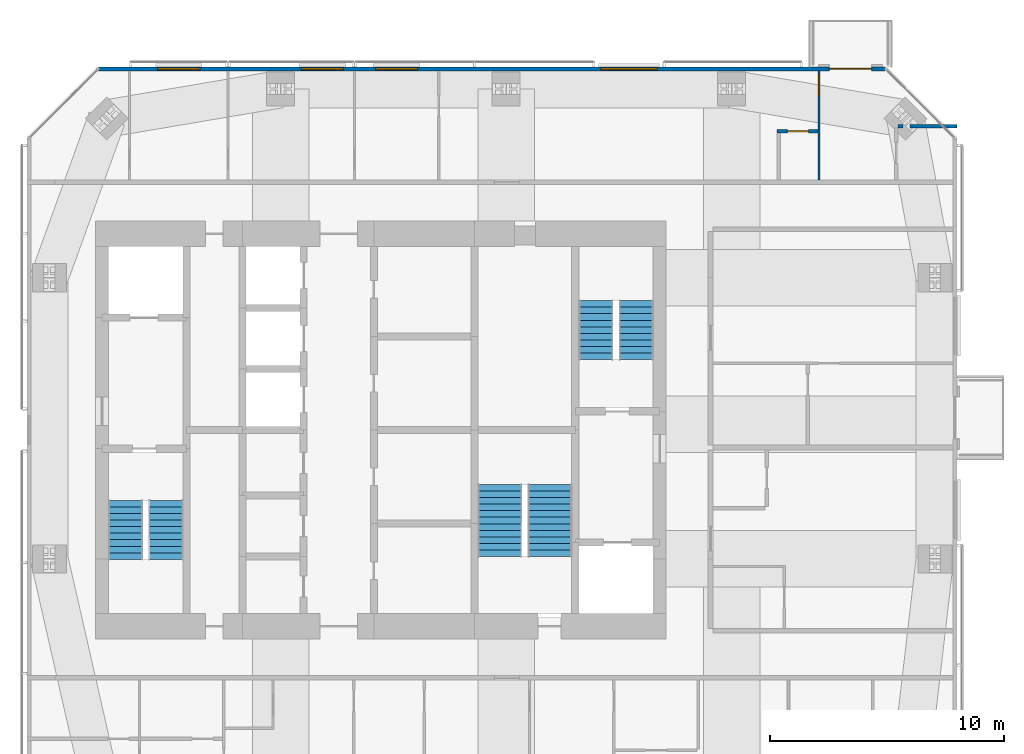
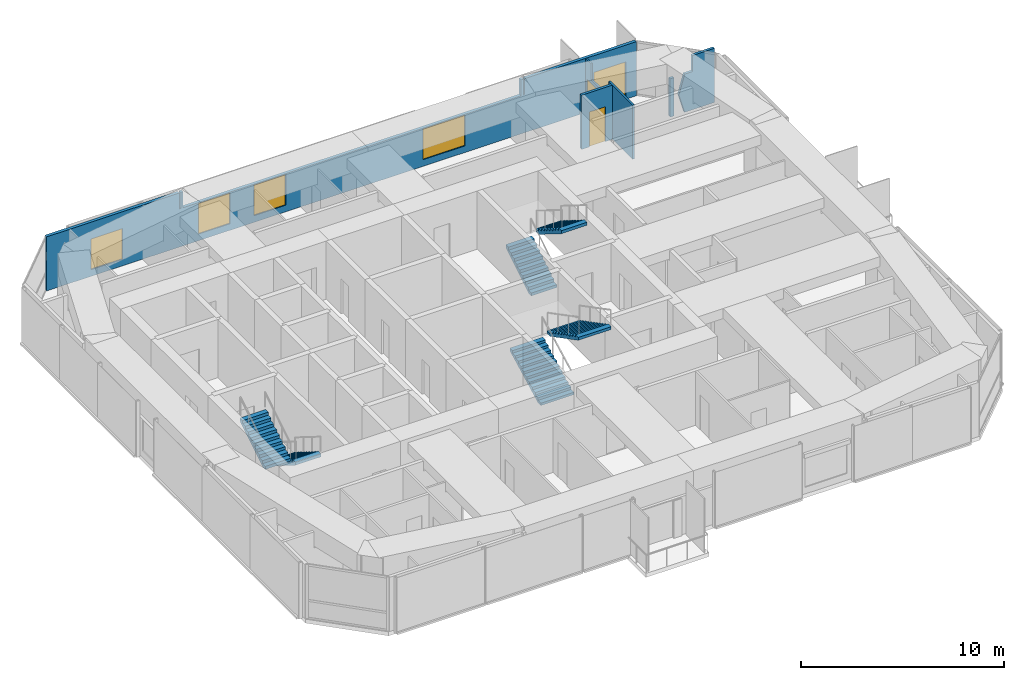
# One storey, part 17 of 18: 6 stair flights, 5 walls, 4 windows, 3 doors, 7 openings, 3 elements without a shape of their own.
"""IFC4 building model written with IfcOpenShell, lengths in metres."""

from ifc_helpers import new_model, si_unit, direction, frame, frame_2d, origin, place, context, subcontext, project, spatial, polyline, rectangle, outline, extrude, material, constituent, constituent_set, type_object, element, fill, aggregate, save


model = new_model("IFC4")

# Units and contexts
model_context = context("Model", 3, precision=1e-05, world=origin(), true_north=direction((0.0, 1.0)))
body_context = subcontext(model_context, "Body", "Model", "MODEL_VIEW")
ifc_project = project(units=[si_unit("LENGTHUNIT", "METRE"), si_unit("AREAUNIT", "SQUARE_METRE"), si_unit("VOLUMEUNIT", "CUBIC_METRE"), si_unit("PLANEANGLEUNIT", "RADIAN"), si_unit("MASSUNIT", "GRAM", prefix="KILO")], contexts=[model_context])

# Site, building, storey
site_placement = place(None, origin())
site = spatial("IfcSite", under=ifc_project, at=site_placement, CompositionType="ELEMENT")
building_placement = place(site_placement, origin())
building = spatial("IfcBuilding", under=site, at=building_placement, Name="Jalousie Tower", CompositionType="ELEMENT")
storey_placement = place(building_placement, frame((0.0, 0.0, 256.449951171875)))
storey = spatial("IfcBuildingStorey", under=building, at=storey_placement, Name="L70", CompositionType="ELEMENT", Elevation=256.449951171875)

# Walls
ifc_material_1 = material(Name="Concrete block ASTM C90", Category="concrete")
ifc_constituent_1 = constituent(ifc_material_1, Name="Body")
ifc_material_2 = material(Name="Render")
ifc_constituent_2 = constituent(ifc_material_2, Name="Finish")
ifc_constituent_set_1 = constituent_set(constituents=[ifc_constituent_1, ifc_constituent_2])
wall_type_1 = type_object("IfcWallType", Name="BATHROOM WALL 150", PredefinedType="PLUMBINGWALL", material=ifc_constituent_set_1)
wall_1_placement = place(storey_placement, frame((53.97509765625, 31.47509765625, 0.0), z_axis=(0.0, 0.0, 1.0), x_axis=(1.0, 0.0, 0.0)))
element("IfcWall", 1, at=wall_1_placement, inside=storey, type_object=wall_type_1, Name="Bathroom Wall 150 L70-A", PredefinedType="PLUMBINGWALL", context=body_context, shape_type="SweptSolid", body=[
    extrude(rectangle(XDim=0.216796875, YDim=0.14990234375, at=frame_2d((0.1083984375, 0.0))), origin(), (0.0, 0.0, 1.0), 2.300048828125),
])
wall_2_placement = place(storey_placement, frame((54.47802734375, 31.47509765625, 0.0), z_axis=(0.0, 0.0, 1.0), x_axis=(1.0, 0.0, 0.0)))
element("IfcWall", 2, at=wall_2_placement, inside=storey, type_object=wall_type_1, Name="Bathroom Wall 150 L70-B", PredefinedType="PLUMBINGWALL", context=body_context, shape_type="SweptSolid", body=[
    extrude(outline(polyline([(0.773681640625, 3.260009765625), (0.773681640625, 2.300048828125), (0.3251953125, 2.300048828125), (0.0, 1.150146484375), (0.3251953125, 0.0), (2.02197265625, 0.0), (2.02197265625, 3.260009765625), (0.773681640625, 3.260009765625)])), frame((0.0, 0.074951171875, 0.0), z_axis=(0.0, -1.0, 0.0), x_axis=(1.0, 0.0, 0.0)), (0.0, 0.0, 1.0), 0.14990234375),
])

# Wall, opening, door
wall_3_placement = place(storey_placement, frame((50.552490234375, 31.25, 0.0), z_axis=(0.0, 0.0, 1.0), x_axis=(-1.0, 0.0, 0.0)))
wall_3 = element("IfcWall", 3, at=wall_3_placement, inside=storey, type_object=wall_type_1, Name="Bathroom Wall 150 L70", PredefinedType="PLUMBINGWALL", context=body_context, shape_type="SweptSolid", body=[
    extrude(rectangle(XDim=1.75, YDim=0.14990234375, at=frame_2d((0.875, 0.0))), origin(), (0.0, 0.0, 1.0), 3.260009765625),
])
opening_1_placement = place(wall_3_placement, frame((0.39990234375, 0.0, 0.0)))
opening_1 = element("IfcOpeningElement", 4, at=opening_1_placement, cuts=wall_3, Name="Opening D7", PredefinedType="OPENING", context=body_context, shape_type="SweptSolid", body=[
    extrude(rectangle(XDim=0.89990234375, YDim=2.10009765625, at=frame_2d((0.449951171875, 1.050048828125))), frame((0.0, 0.0849609375, 0.0), z_axis=(0.0, -1.0, 0.0), x_axis=(1.0, 0.0, 0.0)), (0.0, 0.0, 1.0), 0.169921875),
])
ifc_material_3 = material(Name="Timber door", Category="wood")
door_type_1 = type_object("IfcDoorType", Name="INTERNAL DOOR 900", OperationType="SINGLE_SWING_LEFT", PredefinedType="DOOR", material=ifc_material_3)
door_1_placement = place(opening_1_placement, origin())
door_1 = element("IfcDoor", 5, at=door_1_placement, inside=storey, type_object=door_type_1, Name="Apartment 7002 guest WC door", OperationType="SINGLE_SWING_RIGHT", OverallHeight=2.10009765625, OverallWidth=0.89990234375, PredefinedType="DOOR", context=body_context, shape_type="SweptSolid", body=[
    extrude(rectangle(XDim=0.89990234375, YDim=2.10009765625, at=frame_2d((0.449951171875, 1.050048828125))), frame((0.0, 0.02490234375, 0.0), z_axis=(0.0, -1.0, 0.0), x_axis=(1.0, 0.0, 0.0)), (0.0, 0.0, 1.0), 0.050048828125),
])
fill(opening_1, door_1)

# Wall, openings, door, windows
ifc_material_4 = material(Name="Concrete f'c 40 MPa", Category="concrete")
ifc_constituent_3 = constituent(ifc_material_4, Name="Body")
ifc_material_5 = material(Name="Render, pastel sky blue")
ifc_constituent_4 = constituent(ifc_material_5, Name="Finish")
ifc_constituent_set_2 = constituent_set(constituents=[ifc_constituent_3, ifc_constituent_4])
wall_type_2 = type_object("IfcWallType", Name="EXTERNAL WALL 175 SKY BLUE RENDER", PredefinedType="SOLIDWALL", material=ifc_constituent_set_2)
wall_4_placement = place(storey_placement, frame((53.44873046875, 33.91259765625, 0.0), z_axis=(0.0, 0.0, 1.0), x_axis=(-1.0, 0.0, 0.0)))
wall_4 = element("IfcWall", 6, at=wall_4_placement, inside=storey, type_object=wall_type_2, Name="External Wall 175 Sky Blue Render L70", PredefinedType="SOLIDWALL", context=body_context, shape_type="SweptSolid", body=[
    extrude(outline(polyline([(0.0, 0.0), (33.597412109375, 0.0), (33.597412109375, 3.260009765625), (26.03857421875, 3.260009765625), (26.03857421875, 2.300048828125), (25.955078125, 2.300048828125), (25.955078125, 3.260009765625), (25.82373046875, 3.260009765625), (25.82373046875, 2.300048828125), (6.57373046875, 2.300048828125), (6.57373046875, 3.260009765625), (6.4423828125, 3.260009765625), (6.4423828125, 2.300048828125), (6.35888671875, 2.300048828125), (6.35888671875, 3.260009765625), (0.0, 3.260009765625), (0.0, 0.0)])), frame((0.0, 0.08740234375, 0.0), z_axis=(0.0, -1.0, 0.0), x_axis=(1.0, 0.0, 0.0)), (0.0, 0.0, 1.0), 0.175048828125),
])
opening_2_placement = place(wall_4_placement, frame((0.60009765625, 0.0, 0.0)))
opening_2 = element("IfcOpeningElement", 7, at=opening_2_placement, cuts=wall_4, Name="Opening D-BAL22", PredefinedType="OPENING", context=body_context, shape_type="SweptSolid", body=[
    extrude(rectangle(XDim=1.800048828125, YDim=2.25, at=frame_2d((0.89990234375, 1.125))), frame((0.0, 0.097412109375, 0.0), z_axis=(0.0, -1.0, 0.0), x_axis=(1.0, 0.0, 0.0)), (0.0, 0.0, 1.0), 0.195068359375),
])
opening_3_placement = place(wall_4_placement, frame((9.760009765625, 0.0, 0.39990234375)))
opening_3 = element("IfcOpeningElement", 8, at=opening_3_placement, cuts=wall_4, Name="Opening W-LIV185", PredefinedType="OPENING", context=body_context, shape_type="SweptSolid", body=[
    extrude(rectangle(XDim=2.39990234375, YDim=1.85009765625, at=frame_2d((1.199951171875, 0.925048828125))), frame((0.0, 0.097412109375, 0.0), z_axis=(0.0, -1.0, 0.0), x_axis=(1.0, 0.0, 0.0)), (0.0, 0.0, 1.0), 0.195068359375),
])
opening_4_placement = place(wall_4_placement, frame((19.9736328125, 0.0, 0.39990234375)))
opening_4 = element("IfcOpeningElement", 9, at=opening_4_placement, cuts=wall_4, Name="Opening W-BED185", PredefinedType="OPENING", context=body_context, shape_type="SweptSolid", body=[
    extrude(rectangle(XDim=1.800048828125, YDim=1.85009765625, at=frame_2d((0.89990234375, 0.925048828125))), frame((0.0, 0.097412109375, 0.0), z_axis=(0.0, -1.0, 0.0), x_axis=(1.0, 0.0, 0.0)), (0.0, 0.0, 1.0), 0.195068359375),
])
opening_5_placement = place(wall_4_placement, frame((23.143798828125, 0.0, 0.39990234375)))
opening_5 = element("IfcOpeningElement", 10, at=opening_5_placement, cuts=wall_4, Name="Opening W-BED185", PredefinedType="OPENING", context=body_context, shape_type="SweptSolid", body=[
    extrude(rectangle(XDim=1.800048828125, YDim=1.85009765625, at=frame_2d((0.89990234375, 0.925048828125))), frame((0.0, 0.097412109375, 0.0), z_axis=(0.0, -1.0, 0.0), x_axis=(1.0, 0.0, 0.0)), (0.0, 0.0, 1.0), 0.195068359375),
])
opening_6_placement = place(wall_4_placement, frame((29.273193359375, 0.0, 0.39990234375)))
opening_6 = element("IfcOpeningElement", 11, at=opening_6_placement, cuts=wall_4, Name="Opening W-BED185", PredefinedType="OPENING", context=body_context, shape_type="SweptSolid", body=[
    extrude(rectangle(XDim=1.800048828125, YDim=1.85009765625, at=frame_2d((0.89990234375, 0.925048828125))), frame((0.0, 0.097412109375, 0.0), z_axis=(0.0, -1.0, 0.0), x_axis=(1.0, 0.0, 0.0)), (0.0, 0.0, 1.0), 0.195068359375),
])
ifc_material_6 = material(Name="Aluminium frame, impact-rated glazing", Category="aluminium")
door_type_2 = type_object("IfcDoorType", Name="BALCONY DOOR 1800x2250", OperationType="SLIDING_TO_LEFT", PredefinedType="DOOR", material=ifc_material_6)
door_2_placement = place(opening_2_placement, origin())
door_2 = element("IfcDoor", 12, at=door_2_placement, inside=storey, type_object=door_type_2, Name="Apartment 7002 bedroom 5 balcony door", OperationType="SLIDING_TO_LEFT", OverallHeight=2.25, OverallWidth=1.800048828125, PredefinedType="DOOR", context=body_context, shape_type="SweptSolid", body=[
    extrude(rectangle(XDim=1.800048828125, YDim=2.25, at=frame_2d((0.89990234375, 1.125))), frame((0.0, 0.02490234375, 0.0), z_axis=(0.0, -1.0, 0.0), x_axis=(1.0, 0.0, 0.0)), (0.0, 0.0, 1.0), 0.050048828125),
])
fill(opening_2, door_2)
ifc_material_7 = material(Name="Aluminium frame, impact-rated glazing", Category="aluminium")
window_type_1 = type_object("IfcWindowType", Name="WINDOW BED 1800x1850", PartitioningType="SINGLE_PANEL", PredefinedType="WINDOW", material=ifc_material_7)
window_1_placement = place(opening_4_placement, origin())
window_1 = element("IfcWindow", 13, at=window_1_placement, inside=storey, type_object=window_type_1, Name="Apartment 7002 bedroom 4 window", OverallHeight=1.85009765625, OverallWidth=1.800048828125, PartitioningType="SINGLE_PANEL", PredefinedType="WINDOW", context=body_context, shape_type="SweptSolid", body=[
    extrude(rectangle(XDim=1.800048828125, YDim=1.85009765625, at=frame_2d((0.89990234375, 0.925048828125))), frame((0.0, 0.030029296875, 0.0), z_axis=(0.0, -1.0, 0.0), x_axis=(1.0, 0.0, 0.0)), (0.0, 0.0, 1.0), 0.06005859375),
])
fill(opening_4, window_1)
window_2_placement = place(opening_5_placement, origin())
window_2 = element("IfcWindow", 14, at=window_2_placement, inside=storey, type_object=window_type_1, Name="Apartment 7002 bedroom 3 window", OverallHeight=1.85009765625, OverallWidth=1.800048828125, PartitioningType="SINGLE_PANEL", PredefinedType="WINDOW", context=body_context, shape_type="SweptSolid", body=[
    extrude(rectangle(XDim=1.800048828125, YDim=1.85009765625, at=frame_2d((0.89990234375, 0.925048828125))), frame((0.0, 0.030029296875, 0.0), z_axis=(0.0, -1.0, 0.0), x_axis=(1.0, 0.0, 0.0)), (0.0, 0.0, 1.0), 0.06005859375),
])
fill(opening_5, window_2)
window_3_placement = place(opening_6_placement, origin())
window_3 = element("IfcWindow", 15, at=window_3_placement, inside=storey, type_object=window_type_1, Name="Apartment 7002 bedroom 2 window", OverallHeight=1.85009765625, OverallWidth=1.800048828125, PartitioningType="SINGLE_PANEL", PredefinedType="WINDOW", context=body_context, shape_type="SweptSolid", body=[
    extrude(rectangle(XDim=1.800048828125, YDim=1.85009765625, at=frame_2d((0.89990234375, 0.925048828125))), frame((0.0, 0.030029296875, 0.0), z_axis=(0.0, -1.0, 0.0), x_axis=(1.0, 0.0, 0.0)), (0.0, 0.0, 1.0), 0.06005859375),
])
fill(opening_6, window_3)
ifc_material_8 = material(Name="Aluminium frame, impact-rated glazing", Category="aluminium")
window_type_2 = type_object("IfcWindowType", Name="WINDOW LIV 2400x1850", PartitioningType="DOUBLE_PANEL_VERTICAL", PredefinedType="WINDOW", material=ifc_material_8)
window_4_placement = place(opening_3_placement, origin())
window_4 = element("IfcWindow", 16, at=window_4_placement, inside=storey, type_object=window_type_2, Name="Apartment 7002 living, dining and kitchen window", OverallHeight=1.85009765625, OverallWidth=2.39990234375, PartitioningType="SINGLE_PANEL", PredefinedType="WINDOW", context=body_context, shape_type="SweptSolid", body=[
    extrude(rectangle(XDim=2.39990234375, YDim=1.85009765625, at=frame_2d((1.199951171875, 0.925048828125))), frame((0.0, 0.030029296875, 0.0), z_axis=(0.0, -1.0, 0.0), x_axis=(1.0, 0.0, 0.0)), (0.0, 0.0, 1.0), 0.06005859375),
])
fill(opening_3, window_4)

# Wall, opening, door
ifc_material_9 = material(Name="Gypsum board", Category="gypsum")
ifc_constituent_5 = constituent(ifc_material_9, Name="Body")
ifc_material_10 = material(Name="Light-gauge steel studs ASTM A653 SS Grade 33", Category="steel")
ifc_constituent_6 = constituent(ifc_material_10, Name="Framing")
ifc_constituent_set_3 = constituent_set(constituents=[ifc_constituent_5, ifc_constituent_6])
wall_type_3 = type_object("IfcWallType", Name="PARTITION 100", PredefinedType="PARTITIONING", material=ifc_constituent_set_3)
wall_5_placement = place(storey_placement, frame((50.6025390625, 33.824951171875, 0.0), z_axis=(0.0, 0.0, 1.0), x_axis=(0.0, -1.0, 0.0)))
wall_5 = element("IfcWall", 17, at=wall_5_placement, inside=storey, type_object=wall_type_3, Name="Partition 100 L70", PredefinedType="PARTITIONING", context=body_context, shape_type="SweptSolid", body=[
    extrude(outline(polyline([(0.0, 0.0), (4.64990234375, 0.0), (4.64990234375, 3.260009765625), (2.279052734375, 3.260009765625), (2.279052734375, 2.300048828125), (0.534423828125, 2.300048828125), (0.534423828125, 3.260009765625), (0.0, 3.260009765625), (0.0, 0.0)])), frame((0.0, 0.050048828125, 0.0), z_axis=(0.0, -1.0, 0.0), x_axis=(1.0, 0.0, 0.0)), (0.0, 0.0, 1.0), 0.10009765625),
])
opening_7_placement = place(wall_5_placement, frame((0.14990234375, 0.0, 0.0)))
opening_7 = element("IfcOpeningElement", 18, at=opening_7_placement, cuts=wall_5, Name="Opening D2", PredefinedType="OPENING", context=body_context, shape_type="SweptSolid", body=[
    extrude(rectangle(XDim=0.89990234375, YDim=2.10009765625, at=frame_2d((0.449951171875, 1.050048828125))), frame((0.0, 0.06005859375, 0.0), z_axis=(0.0, -1.0, 0.0), x_axis=(1.0, 0.0, 0.0)), (0.0, 0.0, 1.0), 0.1201171875),
])
ifc_material_11 = material(Name="Timber door", Category="wood")
door_type_3 = type_object("IfcDoorType", Name="BEDROOM DOOR 900", OperationType="SINGLE_SWING_LEFT", PredefinedType="DOOR", material=ifc_material_11)
door_3_placement = place(opening_7_placement, origin())
door_3 = element("IfcDoor", 19, at=door_3_placement, inside=storey, type_object=door_type_3, Name="Apartment 7002 bedroom 5 door", OperationType="SINGLE_SWING_LEFT", OverallHeight=2.10009765625, OverallWidth=0.89990234375, PredefinedType="DOOR", context=body_context, shape_type="SweptSolid", body=[
    extrude(rectangle(XDim=0.89990234375, YDim=2.10009765625, at=frame_2d((0.449951171875, 1.050048828125))), frame((0.0, 0.02490234375, 0.0), z_axis=(0.0, -1.0, 0.0), x_axis=(1.0, 0.0, 0.0)), (0.0, 0.0, 1.0), 0.050048828125),
])
fill(opening_7, door_3)

# Stair, stair flights
ifc_material_12 = material(Name="Concrete f'c 40 MPa", Category="concrete")
stair_type = type_object("IfcStairType", Name="EXIT STAIR", PredefinedType="HALF_TURN_STAIR", material=ifc_material_12)
stair_1_placement = place(storey_placement, origin())
stair_1 = element("IfcStair", 20, at=stair_1_placement, inside=storey, type_object=stair_type, Name="Exit stair A L70", PredefinedType="HALF_TURN_STAIR")
ifc_material_13 = material(Name="Concrete f'c 40 MPa", Category="concrete")
stair_flight_type = type_object("IfcStairFlightType", Name="STAIR FLIGHT", PredefinedType="STRAIGHT", material=ifc_material_13)
stair_flight_1_placement = place(storey_placement, frame((22.71875, 15.49755859375, 0.0), z_axis=(0.0, 0.0, 1.0), x_axis=(0.0, -1.0, 0.0)))
stair_flight_1 = element("IfcStairFlight", 21, at=stair_flight_1_placement, type_object=stair_flight_type, Name="ST-A flight 1", NumberOfRisers=10, NumberOfTreads=9, PredefinedType="STRAIGHT", RiserHeight=0.175, TreadLength=0.28, context=body_context, shape_type="SweptSolid", body=[
    extrude(outline(polyline([(0.0, 0.0), (0.0, 0.175048828125), (0.280029296875, 0.175048828125), (0.280029296875, 0.35009765625), (0.56005859375, 0.35009765625), (0.56005859375, 0.52490234375), (0.840087890625, 0.52490234375), (0.840087890625, 0.699951171875), (1.1201171875, 0.699951171875), (1.1201171875, 0.875), (1.39990234375, 0.875), (1.39990234375, 1.050048828125), (1.679931640625, 1.050048828125), (1.679931640625, 1.22509765625), (1.9599609375, 1.22509765625), (1.9599609375, 1.39990234375), (2.239990234375, 1.39990234375), (2.239990234375, 1.574951171875), (2.52001953125, 1.574951171875), (2.52001953125, 1.75), (2.52001953125, 1.398193359375), (0.28271484375, 0.0), (0.0, 0.0)])), frame((0.0, 0.731201171875, 0.0), z_axis=(0.0, -1.0, 0.0), x_axis=(1.0, 0.0, 0.0)), (0.0, 0.0, 1.0), 1.46240234375),
])
stair_flight_2_placement = place(storey_placement, frame((21.00634765625, 12.9775390625, 1.75), z_axis=(0.0, 0.0, 1.0), x_axis=(0.0, 1.0, 0.0)))
stair_flight_2 = element("IfcStairFlight", 22, at=stair_flight_2_placement, type_object=stair_flight_type, Name="ST-A flight 2", NumberOfRisers=10, NumberOfTreads=9, PredefinedType="STRAIGHT", RiserHeight=0.175, TreadLength=0.28, context=body_context, shape_type="SweptSolid", body=[
    extrude(outline(polyline([(0.0, 0.0), (0.0, 0.175048828125), (0.280029296875, 0.175048828125), (0.280029296875, 0.35009765625), (0.56005859375, 0.35009765625), (0.56005859375, 0.52490234375), (0.840087890625, 0.52490234375), (0.840087890625, 0.699951171875), (1.1201171875, 0.699951171875), (1.1201171875, 0.875), (1.39990234375, 0.875), (1.39990234375, 1.050048828125), (1.679931640625, 1.050048828125), (1.679931640625, 1.22509765625), (1.9599609375, 1.22509765625), (1.9599609375, 1.39990234375), (2.239990234375, 1.39990234375), (2.239990234375, 1.574951171875), (2.52001953125, 1.574951171875), (2.52001953125, 1.75), (2.52001953125, 1.398193359375), (0.28271484375, 0.0), (0.0, 0.0)])), frame((0.0, 0.731201171875, 0.0), z_axis=(0.0, -1.0, 0.0), x_axis=(1.0, 0.0, 0.0)), (0.0, 0.0, 1.0), 1.46240234375),
])
aggregate(stair_1, [stair_flight_1, stair_flight_2])

stair_2_placement = place(storey_placement, origin())
stair_2 = element("IfcStair", 23, at=stair_2_placement, inside=storey, type_object=stair_type, Name="Exit stair B L70", PredefinedType="HALF_TURN_STAIR")
stair_flight_3_placement = place(storey_placement, frame((41.081298828125, 21.50244140625, 0.0), z_axis=(0.0, 0.0, 1.0), x_axis=(0.0, 1.0, 0.0)))
stair_flight_3 = element("IfcStairFlight", 24, at=stair_flight_3_placement, type_object=stair_flight_type, Name="ST-B flight 1", NumberOfRisers=10, NumberOfTreads=9, PredefinedType="STRAIGHT", RiserHeight=0.175, TreadLength=0.28, context=body_context, shape_type="SweptSolid", body=[
    extrude(outline(polyline([(0.0, 0.0), (0.0, 0.175048828125), (0.280029296875, 0.175048828125), (0.280029296875, 0.35009765625), (0.56005859375, 0.35009765625), (0.56005859375, 0.52490234375), (0.840087890625, 0.52490234375), (0.840087890625, 0.699951171875), (1.1201171875, 0.699951171875), (1.1201171875, 0.875), (1.39990234375, 0.875), (1.39990234375, 1.050048828125), (1.679931640625, 1.050048828125), (1.679931640625, 1.22509765625), (1.9599609375, 1.22509765625), (1.9599609375, 1.39990234375), (2.239990234375, 1.39990234375), (2.239990234375, 1.574951171875), (2.52001953125, 1.574951171875), (2.52001953125, 1.75), (2.52001953125, 1.398193359375), (0.28271484375, 0.0), (0.0, 0.0)])), frame((0.0, 0.731201171875, 0.0), z_axis=(0.0, -1.0, 0.0), x_axis=(1.0, 0.0, 0.0)), (0.0, 0.0, 1.0), 1.46240234375),
])
stair_flight_4_placement = place(storey_placement, frame((42.793701171875, 24.0224609375, 1.75), z_axis=(0.0, 0.0, 1.0), x_axis=(0.0, -1.0, 0.0)))
stair_flight_4 = element("IfcStairFlight", 25, at=stair_flight_4_placement, type_object=stair_flight_type, Name="ST-B flight 2", NumberOfRisers=10, NumberOfTreads=9, PredefinedType="STRAIGHT", RiserHeight=0.175, TreadLength=0.28, context=body_context, shape_type="SweptSolid", body=[
    extrude(outline(polyline([(0.0, 0.0), (0.0, 0.175048828125), (0.280029296875, 0.175048828125), (0.280029296875, 0.35009765625), (0.56005859375, 0.35009765625), (0.56005859375, 0.52490234375), (0.840087890625, 0.52490234375), (0.840087890625, 0.699951171875), (1.1201171875, 0.699951171875), (1.1201171875, 0.875), (1.39990234375, 0.875), (1.39990234375, 1.050048828125), (1.679931640625, 1.050048828125), (1.679931640625, 1.22509765625), (1.9599609375, 1.22509765625), (1.9599609375, 1.39990234375), (2.239990234375, 1.39990234375), (2.239990234375, 1.574951171875), (2.52001953125, 1.574951171875), (2.52001953125, 1.75), (2.52001953125, 1.398193359375), (0.28271484375, 0.0), (0.0, 0.0)])), frame((0.0, 0.731201171875, 0.0), z_axis=(0.0, -1.0, 0.0), x_axis=(1.0, 0.0, 0.0)), (0.0, 0.0, 1.0), 1.46240234375),
])
aggregate(stair_2, [stair_flight_3, stair_flight_4])

stair_3_placement = place(storey_placement, origin())
stair_3 = element("IfcStair", 26, at=stair_3_placement, inside=storey, type_object=stair_type, Name="Exit stair C L70", PredefinedType="HALF_TURN_STAIR")
stair_flight_5_placement = place(storey_placement, frame((36.987548828125, 13.097412109375, 0.0), z_axis=(0.0, 0.0, 1.0), x_axis=(0.0, 1.0, 0.0)))
stair_flight_5 = element("IfcStairFlight", 27, at=stair_flight_5_placement, type_object=stair_flight_type, Name="ST-C flight 1", NumberOfRisers=12, NumberOfTreads=11, PredefinedType="STRAIGHT", RiserHeight=0.145833333, TreadLength=0.28, context=body_context, shape_type="SweptSolid", body=[
    extrude(outline(polyline([(0.0, 0.0), (0.0, 0.145751953125), (0.280029296875, 0.145751953125), (0.280029296875, 0.291748046875), (0.56005859375, 0.291748046875), (0.56005859375, 0.4375), (0.840087890625, 0.4375), (0.840087890625, 0.583251953125), (1.1201171875, 0.583251953125), (1.1201171875, 0.729248046875), (1.39990234375, 0.729248046875), (1.39990234375, 0.875), (1.679931640625, 0.875), (1.679931640625, 1.020751953125), (1.9599609375, 1.020751953125), (1.9599609375, 1.166748046875), (2.239990234375, 1.166748046875), (2.239990234375, 1.3125), (2.52001953125, 1.3125), (2.52001953125, 1.458251953125), (2.800048828125, 1.458251953125), (2.800048828125, 1.604248046875), (3.080078125, 1.604248046875), (3.080078125, 1.75), (3.080078125, 1.43505859375), (0.324462890625, 0.0), (0.0, 0.0)])), frame((0.0, 0.9375, 0.0), z_axis=(0.0, -1.0, 0.0), x_axis=(1.0, 0.0, 0.0)), (0.0, 0.0, 1.0), 1.875),
])
stair_flight_6_placement = place(storey_placement, frame((39.112548828125, 16.177490234375, 1.75), z_axis=(0.0, 0.0, 1.0), x_axis=(0.0, -1.0, 0.0)))
stair_flight_6 = element("IfcStairFlight", 28, at=stair_flight_6_placement, type_object=stair_flight_type, Name="ST-C flight 2", NumberOfRisers=12, NumberOfTreads=11, PredefinedType="STRAIGHT", RiserHeight=0.145833333, TreadLength=0.28, context=body_context, shape_type="SweptSolid", body=[
    extrude(outline(polyline([(0.0, 0.0), (0.0, 0.145751953125), (0.280029296875, 0.145751953125), (0.280029296875, 0.291748046875), (0.56005859375, 0.291748046875), (0.56005859375, 0.4375), (0.840087890625, 0.4375), (0.840087890625, 0.583251953125), (1.1201171875, 0.583251953125), (1.1201171875, 0.729248046875), (1.39990234375, 0.729248046875), (1.39990234375, 0.875), (1.679931640625, 0.875), (1.679931640625, 1.020751953125), (1.9599609375, 1.020751953125), (1.9599609375, 1.166748046875), (2.239990234375, 1.166748046875), (2.239990234375, 1.3125), (2.52001953125, 1.3125), (2.52001953125, 1.458251953125), (2.800048828125, 1.458251953125), (2.800048828125, 1.604248046875), (3.080078125, 1.604248046875), (3.080078125, 1.75), (3.080078125, 1.43505859375), (0.324462890625, 0.0), (0.0, 0.0)])), frame((0.0, 0.9375, 0.0), z_axis=(0.0, -1.0, 0.0), x_axis=(1.0, 0.0, 0.0)), (0.0, 0.0, 1.0), 1.875),
])
aggregate(stair_3, [stair_flight_5, stair_flight_6])

save(model, "model.ifc")
